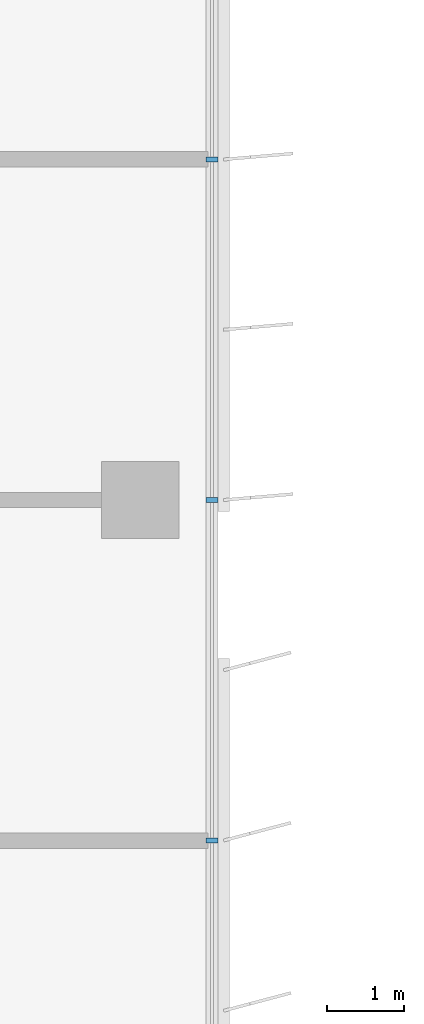
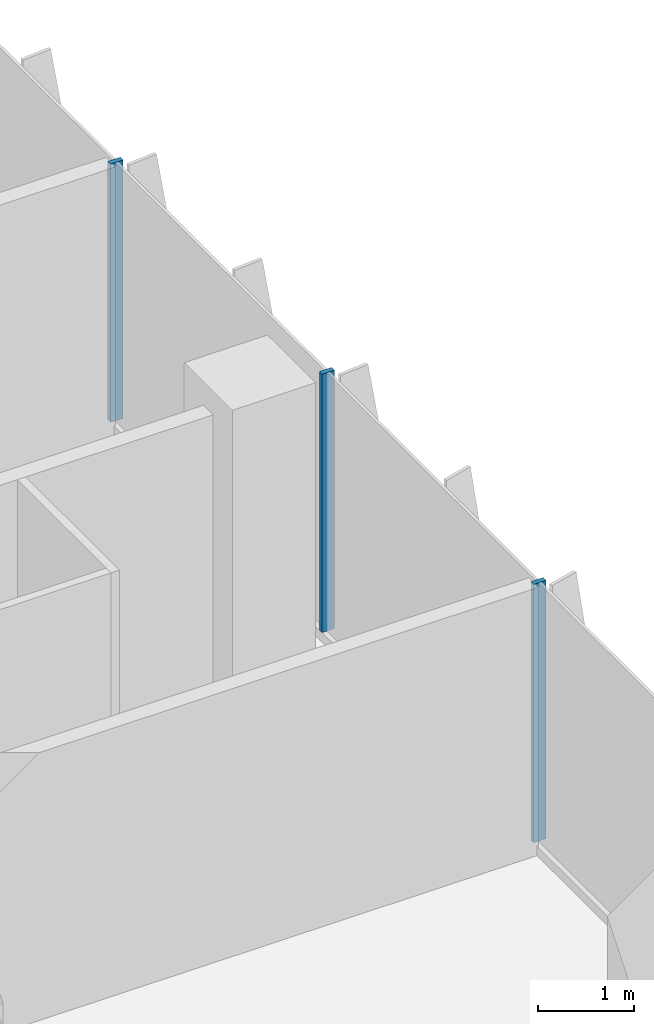
# One storey, part 5 of 21: 3 members, 1 element without a shape of its own.
"""IFC4 building model written with IfcOpenShell, lengths in metres."""

from ifc_helpers import new_model, si_unit, direction, frame, origin, origin_2d, place, context, subcontext, project, spatial, rectangle, extrude, source, transform, mapped, material, material_profile, profile_set, type_object, element, aggregate, save


model = new_model("IFC4")

# Units and contexts
model_context = context("Model", 3, precision=1e-05, world=origin(), true_north=direction((0.0, 1.0)))
body_context = subcontext(model_context, "Body", "Model", "MODEL_VIEW")
ifc_project = project(units=[si_unit("LENGTHUNIT", "METRE"), si_unit("AREAUNIT", "SQUARE_METRE"), si_unit("VOLUMEUNIT", "CUBIC_METRE"), si_unit("PLANEANGLEUNIT", "RADIAN"), si_unit("MASSUNIT", "GRAM", prefix="KILO")], contexts=[model_context])

# Site, building, storey
site_placement = place(None, origin())
site = spatial("IfcSite", under=ifc_project, at=site_placement, CompositionType="ELEMENT")
building_placement = place(site_placement, origin())
building = spatial("IfcBuilding", under=site, at=building_placement, Name="Kemantara Hotel Tower", CompositionType="ELEMENT")
storey_placement = place(building_placement, frame((0.0, 0.0, 171.60009765625)))
storey = spatial("IfcBuildingStorey", under=building, at=storey_placement, Name="L42", CompositionType="ELEMENT", Elevation=171.60009765625)

# Curtain wall, members
ifc_material_1 = material(Name="Low-E tinted double insulated glass 36 mm", Category="glass")
curtain_wall_type = type_object("IfcCurtainWallType", Name="TOWER CURTAIN WALL, FRONT FACES", PredefinedType="USERDEFINED", material=ifc_material_1)
curtain_wall_placement = place(storey_placement, origin())
curtain_wall = element("IfcCurtainWall", 1, at=curtain_wall_placement, inside=storey, type_object=curtain_wall_type, Name="CW4 L42 T3-R17-1", ObjectType="TOWER CURTAIN WALL, FRONT FACES", PredefinedType="USERDEFINED")
ifc_material_2 = material(Name="Aluminium 6063-T6 bronze anodised", Category="aluminium")
ifc_material_profile = material_profile(ifc_material_2, rectangle(XDim=0.14990234375, YDim=0.06005859375, at=origin_2d()), Name="TOWER CURTAIN WALL, FRONT FACES MULLION")
ifc_profile_set = profile_set([ifc_material_profile], Name="Aluminium 6063-T6 bronze anodised")
member_type = type_object("IfcMemberType", Name="TOWER CURTAIN WALL, FRONT FACES MULLION", PredefinedType="MULLION", material=ifc_profile_set)
shared_shape = source(origin(), body_context, "Body", "SweptSolid", [
    extrude(rectangle(XDim=0.14990234375, YDim=0.06005859375, at=origin_2d()), origin(), (0.0, 0.0, 1.0), 3.280029296875),
])
member_1_placement = place(storey_placement, frame((21.925048828125, 31.800048828125, 0.119873046875), z_axis=(0.0, 0.0, 1.0), x_axis=(-1.0, 0.0, 0.0)))
member_1 = element("IfcMember", 2, at=member_1_placement, type_object=member_type, Name="CW4 mullion T3-R17-1.3", PredefinedType="MULLION", context=body_context, shape_type="MappedRepresentation", body=[
    mapped(shared_shape, transform((0.0, 0.0, 0.0))),
])
member_2_placement = place(storey_placement, frame((21.925048828125, 36.199951171875, 0.119873046875), z_axis=(0.0, 0.0, 1.0), x_axis=(-1.0, 0.0, 0.0)))
member_2 = element("IfcMember", 3, at=member_2_placement, type_object=member_type, Name="CW4 mullion T3-R17-1.4", PredefinedType="MULLION", context=body_context, shape_type="MappedRepresentation", body=[
    mapped(shared_shape, transform((0.0, 0.0, 0.0))),
])
member_3_placement = place(storey_placement, frame((21.925048828125, 40.60009765625, 0.119873046875), z_axis=(0.0, 0.0, 1.0), x_axis=(-1.0, 0.0, 0.0)))
member_3 = element("IfcMember", 4, at=member_3_placement, type_object=member_type, Name="CW4 mullion T3-R17-1.5", PredefinedType="MULLION", context=body_context, shape_type="MappedRepresentation", body=[
    mapped(shared_shape, transform((0.0, 0.0, 0.0))),
])
aggregate(curtain_wall, [member_1, member_2, member_3])

save(model, "model.ifc")
